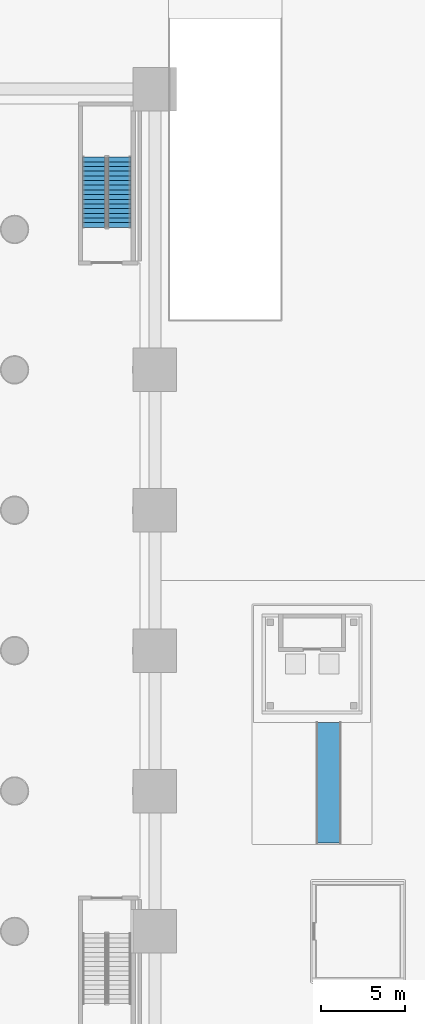
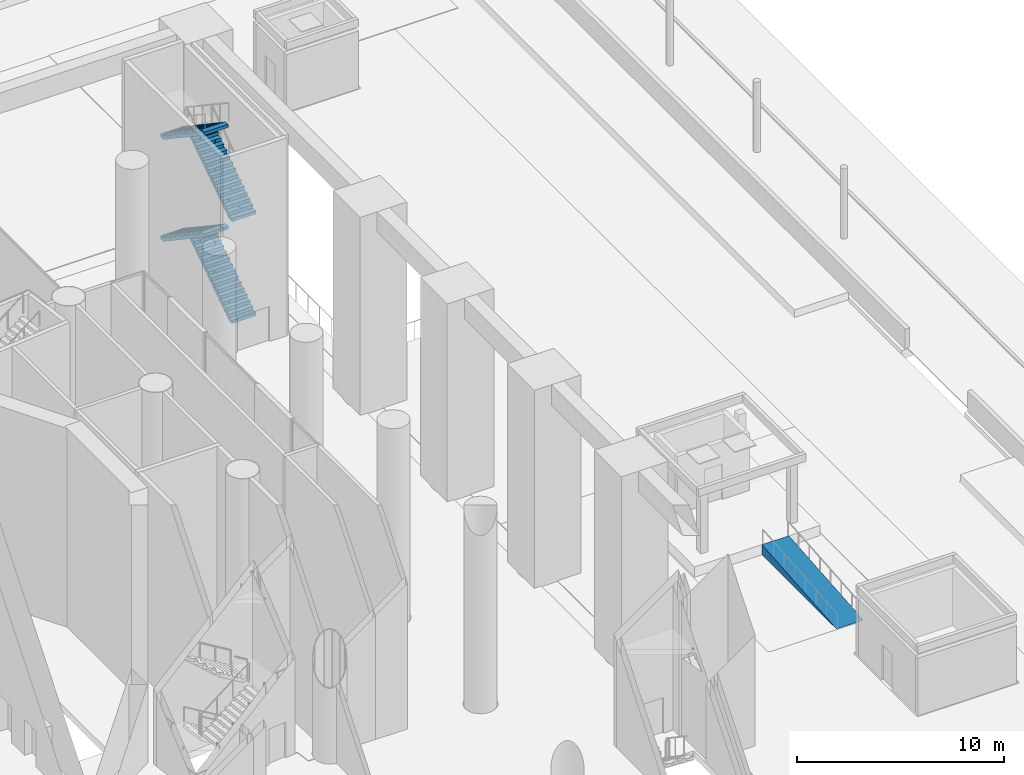
# One storey, part 23 of 52: 4 stair flights, 1 ramp flight, 2 elements without a shape of their own.
"""IFC4 building model written with IfcOpenShell, lengths in metres."""

from ifc_helpers import new_model, si_unit, direction, frame, origin, place, context, subcontext, project, spatial, polyline, outline, extrude, material, type_object, element, aggregate, save


model = new_model("IFC4")

# Units and contexts
model_context = context("Model", 3, precision=1e-05, world=origin(), true_north=direction((0.0, 1.0)))
body_context = subcontext(model_context, "Body", "Model", "MODEL_VIEW")
ifc_project = project(units=[si_unit("LENGTHUNIT", "METRE"), si_unit("AREAUNIT", "SQUARE_METRE"), si_unit("VOLUMEUNIT", "CUBIC_METRE"), si_unit("PLANEANGLEUNIT", "RADIAN"), si_unit("MASSUNIT", "GRAM", prefix="KILO")], contexts=[model_context])

# Site, building, storey
site_placement = place(None, origin())
site = spatial("IfcSite", under=ifc_project, at=site_placement, CompositionType="ELEMENT")
building_placement = place(site_placement, origin())
building = spatial("IfcBuilding", under=site, at=building_placement, Name="Cantera Rosa Tower", CompositionType="ELEMENT")
storey_placement = place(building_placement, origin())
storey = spatial("IfcBuildingStorey", under=building, at=storey_placement, Name="L00", CompositionType="ELEMENT", Elevation=0.0)

# Stair, stair flights
ifc_material_1 = material(Name="Concrete C35/45", Category="concrete")
stair_type = type_object("IfcStairType", Name="Stair half-turn 1350", PredefinedType="HALF_TURN_STAIR", material=ifc_material_1)
stair_placement = place(storey_placement, origin())
stair = element("IfcStair", 1, at=stair_placement, inside=storey, type_object=stair_type, Name="L00 ST-NE", PredefinedType="HALF_TURN_STAIR")
ifc_material_2 = material(Name="Concrete C35/45", Category="concrete")
stair_flight_type = type_object("IfcStairFlightType", Name="Stair flight 1350", PredefinedType="STRAIGHT", material=ifc_material_2)
stair_flight_1_placement = place(storey_placement, frame((31.5, 21.125, 0.0), z_axis=(0.0, 0.0, 1.0), x_axis=(0.0, 1.0, 0.0)))
stair_flight_1 = element("IfcStairFlight", 2, at=stair_flight_1_placement, type_object=stair_flight_type, Name="ST-NE flight 1", NumberOfRisers=16, NumberOfTreads=15, PredefinedType="STRAIGHT", RiserHeight=0.1875, TreadLength=0.28, context=body_context, shape_type="SweptSolid", body=[
    extrude(outline(polyline([(0.0, 0.0), (0.0, 0.1875), (0.280029296875, 0.1875), (0.280029296875, 0.375), (0.56005859375, 0.375), (0.56005859375, 0.5625), (0.840087890625, 0.5625), (0.840087890625, 0.75), (1.1201171875, 0.75), (1.1201171875, 0.9375), (1.39990234375, 0.9375), (1.39990234375, 1.125), (1.679931640625, 1.125), (1.679931640625, 1.3125), (1.9599609375, 1.3125), (1.9599609375, 1.5), (2.239990234375, 1.5), (2.239990234375, 1.6875), (2.52001953125, 1.6875), (2.52001953125, 1.875), (2.800048828125, 1.875), (2.800048828125, 2.0625), (3.080078125, 2.0625), (3.080078125, 2.25), (3.360107421875, 2.25), (3.360107421875, 2.4375), (3.639892578125, 2.4375), (3.639892578125, 2.625), (3.919921875, 2.625), (3.919921875, 2.8125), (4.199951171875, 2.8125), (4.199951171875, 3.0), (4.199951171875, 2.632080078125), (0.26953125, 0.0), (0.0, 0.0)])), frame((0.0, 0.675048828125, 0.0), z_axis=(0.0, -1.0, 0.0), x_axis=(1.0, 0.0, 0.0)), (0.0, 0.0, 1.0), 0.3359375),
    extrude(outline(polyline([(0.0, 0.0), (0.0, 0.1875), (0.280029296875, 0.1875), (0.280029296875, 0.375), (0.56005859375, 0.375), (0.56005859375, 0.5625), (0.840087890625, 0.5625), (0.840087890625, 0.75), (1.1201171875, 0.75), (1.1201171875, 0.9375), (1.39990234375, 0.9375), (1.39990234375, 1.125), (1.679931640625, 1.125), (1.679931640625, 1.3125), (1.9599609375, 1.3125), (1.9599609375, 1.5), (2.239990234375, 1.5), (2.239990234375, 1.6875), (2.52001953125, 1.6875), (2.52001953125, 1.875), (2.800048828125, 1.875), (2.800048828125, 2.0625), (3.080078125, 2.0625), (3.080078125, 2.25), (3.360107421875, 2.25), (3.360107421875, 2.4375), (3.639892578125, 2.4375), (3.639892578125, 2.625), (3.919921875, 2.625), (3.919921875, 2.8125), (4.199951171875, 2.8125), (4.199951171875, 3.0), (4.199951171875, 2.632080078125), (0.26953125, 0.0), (0.0, 0.0)])), frame((0.0, 0.337158203125, 0.0), z_axis=(0.0, -1.0, 0.0), x_axis=(1.0, 0.0, 0.0)), (0.0, 0.0, 1.0), 0.3359375),
    extrude(outline(polyline([(0.0, 0.0), (0.0, 0.1875), (0.280029296875, 0.1875), (0.280029296875, 0.375), (0.56005859375, 0.375), (0.56005859375, 0.5625), (0.840087890625, 0.5625), (0.840087890625, 0.75), (1.1201171875, 0.75), (1.1201171875, 0.9375), (1.39990234375, 0.9375), (1.39990234375, 1.125), (1.679931640625, 1.125), (1.679931640625, 1.3125), (1.9599609375, 1.3125), (1.9599609375, 1.5), (2.239990234375, 1.5), (2.239990234375, 1.6875), (2.52001953125, 1.6875), (2.52001953125, 1.875), (2.800048828125, 1.875), (2.800048828125, 2.0625), (3.080078125, 2.0625), (3.080078125, 2.25), (3.360107421875, 2.25), (3.360107421875, 2.4375), (3.639892578125, 2.4375), (3.639892578125, 2.625), (3.919921875, 2.625), (3.919921875, 2.8125), (4.199951171875, 2.8125), (4.199951171875, 3.0), (4.199951171875, 2.632080078125), (0.26953125, 0.0), (0.0, 0.0)])), frame((0.0, -0.000732421875, 0.0), z_axis=(0.0, -1.0, 0.0), x_axis=(1.0, 0.0, 0.0)), (0.0, 0.0, 1.0), 0.3359375),
    extrude(outline(polyline([(0.0, 0.0), (0.0, 0.1875), (0.280029296875, 0.1875), (0.280029296875, 0.375), (0.56005859375, 0.375), (0.56005859375, 0.5625), (0.840087890625, 0.5625), (0.840087890625, 0.75), (1.1201171875, 0.75), (1.1201171875, 0.9375), (1.39990234375, 0.9375), (1.39990234375, 1.125), (1.679931640625, 1.125), (1.679931640625, 1.3125), (1.9599609375, 1.3125), (1.9599609375, 1.5), (2.239990234375, 1.5), (2.239990234375, 1.6875), (2.52001953125, 1.6875), (2.52001953125, 1.875), (2.800048828125, 1.875), (2.800048828125, 2.0625), (3.080078125, 2.0625), (3.080078125, 2.25), (3.360107421875, 2.25), (3.360107421875, 2.4375), (3.639892578125, 2.4375), (3.639892578125, 2.625), (3.919921875, 2.625), (3.919921875, 2.8125), (4.199951171875, 2.8125), (4.199951171875, 3.0), (4.199951171875, 2.632080078125), (0.26953125, 0.0), (0.0, 0.0)])), frame((0.0, -0.338623046875, 0.0), z_axis=(0.0, -1.0, 0.0), x_axis=(1.0, 0.0, 0.0)), (0.0, 0.0, 1.0), 0.3359375),
])
stair_flight_2_placement = place(storey_placement, frame((29.949951171875, 25.324951171875, 3.0), z_axis=(0.0, 0.0, 1.0), x_axis=(0.0, -1.0, 0.0)))
stair_flight_2 = element("IfcStairFlight", 3, at=stair_flight_2_placement, type_object=stair_flight_type, Name="ST-NE flight 2", NumberOfRisers=16, NumberOfTreads=15, PredefinedType="STRAIGHT", RiserHeight=0.1875, TreadLength=0.28, context=body_context, shape_type="SweptSolid", body=[
    extrude(outline(polyline([(0.0, 0.0), (0.0, 0.1875), (0.280029296875, 0.1875), (0.280029296875, 0.375), (0.56005859375, 0.375), (0.56005859375, 0.5625), (0.840087890625, 0.5625), (0.840087890625, 0.75), (1.1201171875, 0.75), (1.1201171875, 0.9375), (1.39990234375, 0.9375), (1.39990234375, 1.125), (1.679931640625, 1.125), (1.679931640625, 1.3125), (1.9599609375, 1.3125), (1.9599609375, 1.5), (2.239990234375, 1.5), (2.239990234375, 1.6875), (2.52001953125, 1.6875), (2.52001953125, 1.875), (2.800048828125, 1.875), (2.800048828125, 2.0625), (3.080078125, 2.0625), (3.080078125, 2.25), (3.360107421875, 2.25), (3.360107421875, 2.4375), (3.639892578125, 2.4375), (3.639892578125, 2.625), (3.919921875, 2.625), (3.919921875, 2.8125), (4.199951171875, 2.8125), (4.199951171875, 3.0), (4.199951171875, 2.632080078125), (0.26953125, 0.0), (0.0, 0.0)])), frame((0.0, 0.675048828125, 0.0), z_axis=(0.0, -1.0, 0.0), x_axis=(1.0, 0.0, 0.0)), (0.0, 0.0, 1.0), 0.3359375),
    extrude(outline(polyline([(0.0, 0.0), (0.0, 0.1875), (0.280029296875, 0.1875), (0.280029296875, 0.375), (0.56005859375, 0.375), (0.56005859375, 0.5625), (0.840087890625, 0.5625), (0.840087890625, 0.75), (1.1201171875, 0.75), (1.1201171875, 0.9375), (1.39990234375, 0.9375), (1.39990234375, 1.125), (1.679931640625, 1.125), (1.679931640625, 1.3125), (1.9599609375, 1.3125), (1.9599609375, 1.5), (2.239990234375, 1.5), (2.239990234375, 1.6875), (2.52001953125, 1.6875), (2.52001953125, 1.875), (2.800048828125, 1.875), (2.800048828125, 2.0625), (3.080078125, 2.0625), (3.080078125, 2.25), (3.360107421875, 2.25), (3.360107421875, 2.4375), (3.639892578125, 2.4375), (3.639892578125, 2.625), (3.919921875, 2.625), (3.919921875, 2.8125), (4.199951171875, 2.8125), (4.199951171875, 3.0), (4.199951171875, 2.632080078125), (0.26953125, 0.0), (0.0, 0.0)])), frame((0.0, 0.337158203125, 0.0), z_axis=(0.0, -1.0, 0.0), x_axis=(1.0, 0.0, 0.0)), (0.0, 0.0, 1.0), 0.3359375),
    extrude(outline(polyline([(0.0, 0.0), (0.0, 0.1875), (0.280029296875, 0.1875), (0.280029296875, 0.375), (0.56005859375, 0.375), (0.56005859375, 0.5625), (0.840087890625, 0.5625), (0.840087890625, 0.75), (1.1201171875, 0.75), (1.1201171875, 0.9375), (1.39990234375, 0.9375), (1.39990234375, 1.125), (1.679931640625, 1.125), (1.679931640625, 1.3125), (1.9599609375, 1.3125), (1.9599609375, 1.5), (2.239990234375, 1.5), (2.239990234375, 1.6875), (2.52001953125, 1.6875), (2.52001953125, 1.875), (2.800048828125, 1.875), (2.800048828125, 2.0625), (3.080078125, 2.0625), (3.080078125, 2.25), (3.360107421875, 2.25), (3.360107421875, 2.4375), (3.639892578125, 2.4375), (3.639892578125, 2.625), (3.919921875, 2.625), (3.919921875, 2.8125), (4.199951171875, 2.8125), (4.199951171875, 3.0), (4.199951171875, 2.632080078125), (0.26953125, 0.0), (0.0, 0.0)])), frame((0.0, -0.000732421875, 0.0), z_axis=(0.0, -1.0, 0.0), x_axis=(1.0, 0.0, 0.0)), (0.0, 0.0, 1.0), 0.3359375),
    extrude(outline(polyline([(0.0, 0.0), (0.0, 0.1875), (0.280029296875, 0.1875), (0.280029296875, 0.375), (0.56005859375, 0.375), (0.56005859375, 0.5625), (0.840087890625, 0.5625), (0.840087890625, 0.75), (1.1201171875, 0.75), (1.1201171875, 0.9375), (1.39990234375, 0.9375), (1.39990234375, 1.125), (1.679931640625, 1.125), (1.679931640625, 1.3125), (1.9599609375, 1.3125), (1.9599609375, 1.5), (2.239990234375, 1.5), (2.239990234375, 1.6875), (2.52001953125, 1.6875), (2.52001953125, 1.875), (2.800048828125, 1.875), (2.800048828125, 2.0625), (3.080078125, 2.0625), (3.080078125, 2.25), (3.360107421875, 2.25), (3.360107421875, 2.4375), (3.639892578125, 2.4375), (3.639892578125, 2.625), (3.919921875, 2.625), (3.919921875, 2.8125), (4.199951171875, 2.8125), (4.199951171875, 3.0), (4.199951171875, 2.632080078125), (0.26953125, 0.0), (0.0, 0.0)])), frame((0.0, -0.338623046875, 0.0), z_axis=(0.0, -1.0, 0.0), x_axis=(1.0, 0.0, 0.0)), (0.0, 0.0, 1.0), 0.3359375),
])
stair_flight_3_placement = place(storey_placement, frame((31.5, 21.125, 6.0), z_axis=(0.0, 0.0, 1.0), x_axis=(0.0, 1.0, 0.0)))
stair_flight_3 = element("IfcStairFlight", 4, at=stair_flight_3_placement, type_object=stair_flight_type, Name="ST-NE flight 3", NumberOfRisers=16, NumberOfTreads=15, PredefinedType="STRAIGHT", RiserHeight=0.1875, TreadLength=0.28, context=body_context, shape_type="SweptSolid", body=[
    extrude(outline(polyline([(0.0, 0.0), (0.0, 0.1875), (0.280029296875, 0.1875), (0.280029296875, 0.375), (0.56005859375, 0.375), (0.56005859375, 0.5625), (0.840087890625, 0.5625), (0.840087890625, 0.75), (1.1201171875, 0.75), (1.1201171875, 0.9375), (1.39990234375, 0.9375), (1.39990234375, 1.125), (1.679931640625, 1.125), (1.679931640625, 1.3125), (1.9599609375, 1.3125), (1.9599609375, 1.5), (2.239990234375, 1.5), (2.239990234375, 1.6875), (2.52001953125, 1.6875), (2.52001953125, 1.875), (2.800048828125, 1.875), (2.800048828125, 2.0625), (3.080078125, 2.0625), (3.080078125, 2.25), (3.360107421875, 2.25), (3.360107421875, 2.4375), (3.639892578125, 2.4375), (3.639892578125, 2.625), (3.919921875, 2.625), (3.919921875, 2.8125), (4.199951171875, 2.8125), (4.199951171875, 3.0), (4.199951171875, 2.632080078125), (0.26953125, 0.0), (0.0, 0.0)])), frame((0.0, 0.675048828125, 0.0), z_axis=(0.0, -1.0, 0.0), x_axis=(1.0, 0.0, 0.0)), (0.0, 0.0, 1.0), 0.3359375),
    extrude(outline(polyline([(0.0, 0.0), (0.0, 0.1875), (0.280029296875, 0.1875), (0.280029296875, 0.375), (0.56005859375, 0.375), (0.56005859375, 0.5625), (0.840087890625, 0.5625), (0.840087890625, 0.75), (1.1201171875, 0.75), (1.1201171875, 0.9375), (1.39990234375, 0.9375), (1.39990234375, 1.125), (1.679931640625, 1.125), (1.679931640625, 1.3125), (1.9599609375, 1.3125), (1.9599609375, 1.5), (2.239990234375, 1.5), (2.239990234375, 1.6875), (2.52001953125, 1.6875), (2.52001953125, 1.875), (2.800048828125, 1.875), (2.800048828125, 2.0625), (3.080078125, 2.0625), (3.080078125, 2.25), (3.360107421875, 2.25), (3.360107421875, 2.4375), (3.639892578125, 2.4375), (3.639892578125, 2.625), (3.919921875, 2.625), (3.919921875, 2.8125), (4.199951171875, 2.8125), (4.199951171875, 3.0), (4.199951171875, 2.632080078125), (0.26953125, 0.0), (0.0, 0.0)])), frame((0.0, 0.337158203125, 0.0), z_axis=(0.0, -1.0, 0.0), x_axis=(1.0, 0.0, 0.0)), (0.0, 0.0, 1.0), 0.3359375),
    extrude(outline(polyline([(0.0, 0.0), (0.0, 0.1875), (0.280029296875, 0.1875), (0.280029296875, 0.375), (0.56005859375, 0.375), (0.56005859375, 0.5625), (0.840087890625, 0.5625), (0.840087890625, 0.75), (1.1201171875, 0.75), (1.1201171875, 0.9375), (1.39990234375, 0.9375), (1.39990234375, 1.125), (1.679931640625, 1.125), (1.679931640625, 1.3125), (1.9599609375, 1.3125), (1.9599609375, 1.5), (2.239990234375, 1.5), (2.239990234375, 1.6875), (2.52001953125, 1.6875), (2.52001953125, 1.875), (2.800048828125, 1.875), (2.800048828125, 2.0625), (3.080078125, 2.0625), (3.080078125, 2.25), (3.360107421875, 2.25), (3.360107421875, 2.4375), (3.639892578125, 2.4375), (3.639892578125, 2.625), (3.919921875, 2.625), (3.919921875, 2.8125), (4.199951171875, 2.8125), (4.199951171875, 3.0), (4.199951171875, 2.632080078125), (0.26953125, 0.0), (0.0, 0.0)])), frame((0.0, -0.000732421875, 0.0), z_axis=(0.0, -1.0, 0.0), x_axis=(1.0, 0.0, 0.0)), (0.0, 0.0, 1.0), 0.3359375),
    extrude(outline(polyline([(0.0, 0.0), (0.0, 0.1875), (0.280029296875, 0.1875), (0.280029296875, 0.375), (0.56005859375, 0.375), (0.56005859375, 0.5625), (0.840087890625, 0.5625), (0.840087890625, 0.75), (1.1201171875, 0.75), (1.1201171875, 0.9375), (1.39990234375, 0.9375), (1.39990234375, 1.125), (1.679931640625, 1.125), (1.679931640625, 1.3125), (1.9599609375, 1.3125), (1.9599609375, 1.5), (2.239990234375, 1.5), (2.239990234375, 1.6875), (2.52001953125, 1.6875), (2.52001953125, 1.875), (2.800048828125, 1.875), (2.800048828125, 2.0625), (3.080078125, 2.0625), (3.080078125, 2.25), (3.360107421875, 2.25), (3.360107421875, 2.4375), (3.639892578125, 2.4375), (3.639892578125, 2.625), (3.919921875, 2.625), (3.919921875, 2.8125), (4.199951171875, 2.8125), (4.199951171875, 3.0), (4.199951171875, 2.632080078125), (0.26953125, 0.0), (0.0, 0.0)])), frame((0.0, -0.338623046875, 0.0), z_axis=(0.0, -1.0, 0.0), x_axis=(1.0, 0.0, 0.0)), (0.0, 0.0, 1.0), 0.3359375),
])
stair_flight_4_placement = place(storey_placement, frame((29.949951171875, 25.324951171875, 9.0), z_axis=(0.0, 0.0, 1.0), x_axis=(0.0, -1.0, 0.0)))
stair_flight_4 = element("IfcStairFlight", 5, at=stair_flight_4_placement, type_object=stair_flight_type, Name="ST-NE flight 4", NumberOfRisers=16, NumberOfTreads=15, PredefinedType="STRAIGHT", RiserHeight=0.1875, TreadLength=0.28, context=body_context, shape_type="SweptSolid", body=[
    extrude(outline(polyline([(0.0, 0.0), (0.0, 0.1875), (0.280029296875, 0.1875), (0.280029296875, 0.375), (0.56005859375, 0.375), (0.56005859375, 0.5625), (0.840087890625, 0.5625), (0.840087890625, 0.75), (1.1201171875, 0.75), (1.1201171875, 0.9375), (1.39990234375, 0.9375), (1.39990234375, 1.125), (1.679931640625, 1.125), (1.679931640625, 1.3125), (1.9599609375, 1.3125), (1.9599609375, 1.5), (2.239990234375, 1.5), (2.239990234375, 1.6875), (2.52001953125, 1.6875), (2.52001953125, 1.875), (2.800048828125, 1.875), (2.800048828125, 2.0625), (3.080078125, 2.0625), (3.080078125, 2.25), (3.360107421875, 2.25), (3.360107421875, 2.4375), (3.639892578125, 2.4375), (3.639892578125, 2.625), (3.919921875, 2.625), (3.919921875, 2.8125), (4.199951171875, 2.8125), (4.199951171875, 3.0), (4.199951171875, 2.632080078125), (0.26953125, 0.0), (0.0, 0.0)])), frame((0.0, 0.675048828125, 0.0), z_axis=(0.0, -1.0, 0.0), x_axis=(1.0, 0.0, 0.0)), (0.0, 0.0, 1.0), 0.3359375),
    extrude(outline(polyline([(0.0, 0.0), (0.0, 0.1875), (0.280029296875, 0.1875), (0.280029296875, 0.375), (0.56005859375, 0.375), (0.56005859375, 0.5625), (0.840087890625, 0.5625), (0.840087890625, 0.75), (1.1201171875, 0.75), (1.1201171875, 0.9375), (1.39990234375, 0.9375), (1.39990234375, 1.125), (1.679931640625, 1.125), (1.679931640625, 1.3125), (1.9599609375, 1.3125), (1.9599609375, 1.5), (2.239990234375, 1.5), (2.239990234375, 1.6875), (2.52001953125, 1.6875), (2.52001953125, 1.875), (2.800048828125, 1.875), (2.800048828125, 2.0625), (3.080078125, 2.0625), (3.080078125, 2.25), (3.360107421875, 2.25), (3.360107421875, 2.4375), (3.639892578125, 2.4375), (3.639892578125, 2.625), (3.919921875, 2.625), (3.919921875, 2.8125), (4.199951171875, 2.8125), (4.199951171875, 3.0), (4.199951171875, 2.632080078125), (0.26953125, 0.0), (0.0, 0.0)])), frame((0.0, 0.337158203125, 0.0), z_axis=(0.0, -1.0, 0.0), x_axis=(1.0, 0.0, 0.0)), (0.0, 0.0, 1.0), 0.3359375),
    extrude(outline(polyline([(0.0, 0.0), (0.0, 0.1875), (0.280029296875, 0.1875), (0.280029296875, 0.375), (0.56005859375, 0.375), (0.56005859375, 0.5625), (0.840087890625, 0.5625), (0.840087890625, 0.75), (1.1201171875, 0.75), (1.1201171875, 0.9375), (1.39990234375, 0.9375), (1.39990234375, 1.125), (1.679931640625, 1.125), (1.679931640625, 1.3125), (1.9599609375, 1.3125), (1.9599609375, 1.5), (2.239990234375, 1.5), (2.239990234375, 1.6875), (2.52001953125, 1.6875), (2.52001953125, 1.875), (2.800048828125, 1.875), (2.800048828125, 2.0625), (3.080078125, 2.0625), (3.080078125, 2.25), (3.360107421875, 2.25), (3.360107421875, 2.4375), (3.639892578125, 2.4375), (3.639892578125, 2.625), (3.919921875, 2.625), (3.919921875, 2.8125), (4.199951171875, 2.8125), (4.199951171875, 3.0), (4.199951171875, 2.632080078125), (0.26953125, 0.0), (0.0, 0.0)])), frame((0.0, -0.000732421875, 0.0), z_axis=(0.0, -1.0, 0.0), x_axis=(1.0, 0.0, 0.0)), (0.0, 0.0, 1.0), 0.3359375),
    extrude(outline(polyline([(0.0, 0.0), (0.0, 0.1875), (0.280029296875, 0.1875), (0.280029296875, 0.375), (0.56005859375, 0.375), (0.56005859375, 0.5625), (0.840087890625, 0.5625), (0.840087890625, 0.75), (1.1201171875, 0.75), (1.1201171875, 0.9375), (1.39990234375, 0.9375), (1.39990234375, 1.125), (1.679931640625, 1.125), (1.679931640625, 1.3125), (1.9599609375, 1.3125), (1.9599609375, 1.5), (2.239990234375, 1.5), (2.239990234375, 1.6875), (2.52001953125, 1.6875), (2.52001953125, 1.875), (2.800048828125, 1.875), (2.800048828125, 2.0625), (3.080078125, 2.0625), (3.080078125, 2.25), (3.360107421875, 2.25), (3.360107421875, 2.4375), (3.639892578125, 2.4375), (3.639892578125, 2.625), (3.919921875, 2.625), (3.919921875, 2.8125), (4.199951171875, 2.8125), (4.199951171875, 3.0), (4.199951171875, 2.632080078125), (0.26953125, 0.0), (0.0, 0.0)])), frame((0.0, -0.338623046875, 0.0), z_axis=(0.0, -1.0, 0.0), x_axis=(1.0, 0.0, 0.0)), (0.0, 0.0, 1.0), 0.3359375),
])
aggregate(stair, [stair_flight_1, stair_flight_2, stair_flight_3, stair_flight_4])

# Ramp, ramp flight
ifc_material_3 = material(Name="Concrete C35/45", Category="concrete")
ramp_type = type_object("IfcRampType", Name="Accessible ramp 1500", PredefinedType="STRAIGHT_RUN_RAMP", material=ifc_material_3)
ramp_placement = place(storey_placement, origin())
ramp = element("IfcRamp", 6, at=ramp_placement, inside=storey, type_object=ramp_type, Name="Accessible ramp to the tea pavilion", PredefinedType="STRAIGHT_RUN_RAMP")
ifc_material_4 = material(Name="Concrete C35/45", Category="concrete")
ramp_flight_type = type_object("IfcRampFlightType", Name="Accessible ramp flight 1500", PredefinedType="STRAIGHT", material=ifc_material_4)
ramp_flight_placement = place(storey_placement, frame((44.0, -15.699951171875, 0.0), z_axis=(0.0, 0.0, 1.0), x_axis=(0.0, 1.0, 0.0)))
ramp_flight = element("IfcRampFlight", 7, at=ramp_flight_placement, type_object=ramp_flight_type, Name="Accessible ramp flight", PredefinedType="STRAIGHT", context=body_context, shape_type="SweptSolid", body=[
    extrude(outline(polyline([(0.0, 0.0), (7.199951171875, 0.0), (7.199951171875, 0.60009765625), (0.0, 0.0), (0.0, 0.0)])), frame((0.0, 0.75, 0.0), z_axis=(0.0, -1.0, 0.0), x_axis=(1.0, 0.0, 0.0)), (0.0, 0.0, 1.0), 1.5),
])
aggregate(ramp, [ramp_flight])

save(model, "model.ifc")
